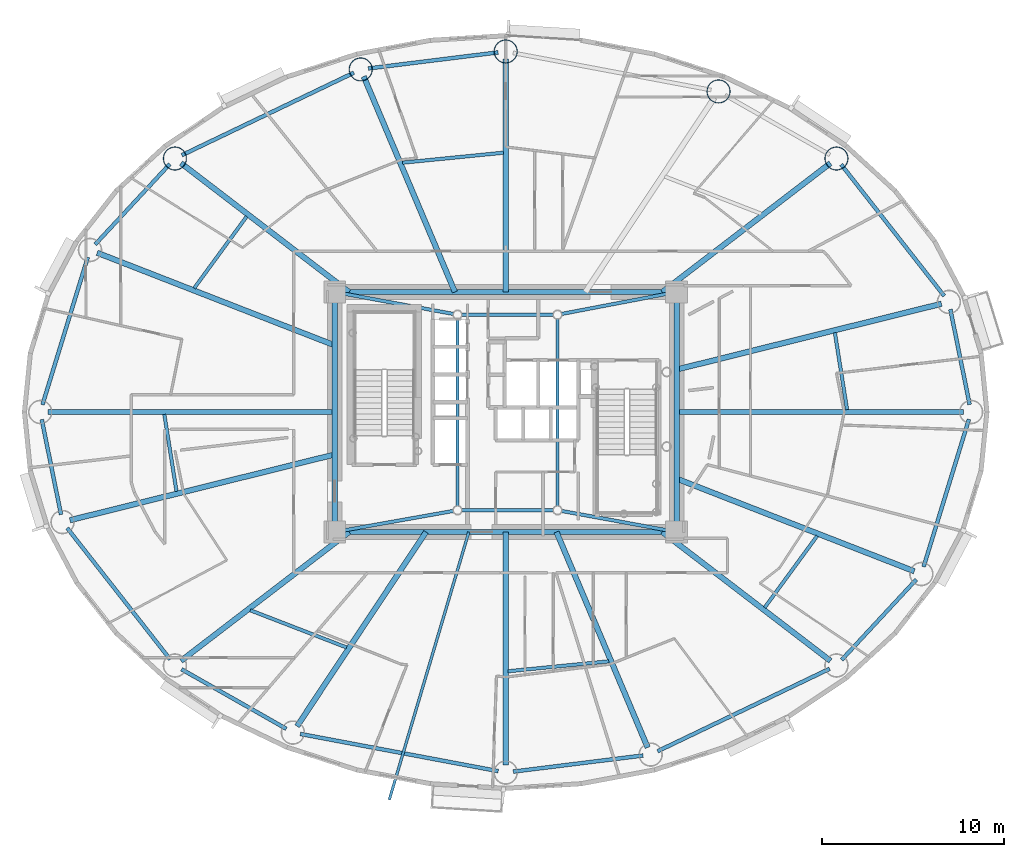
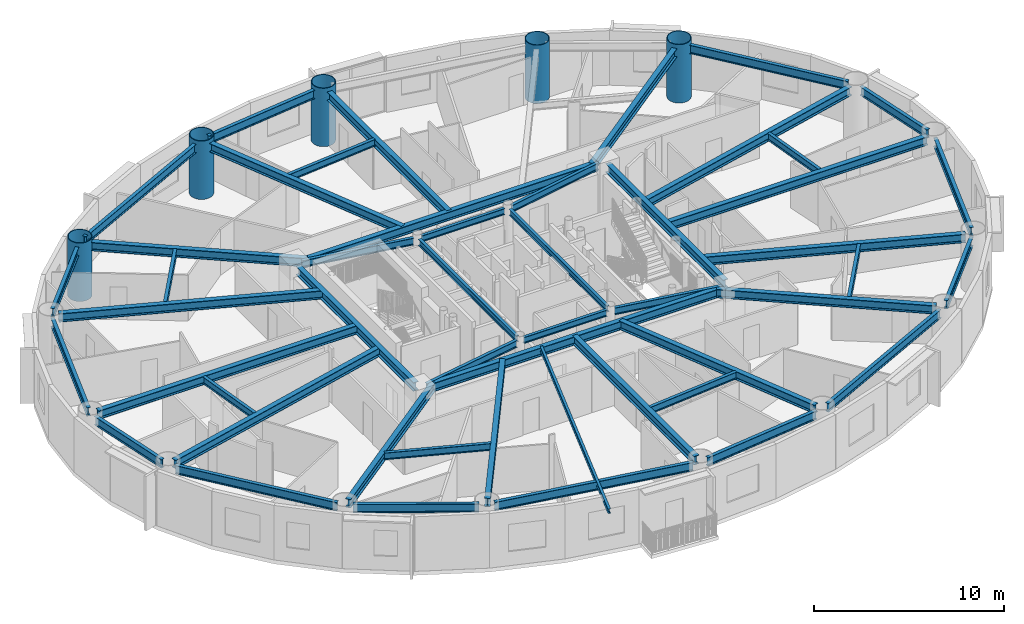
# One storey, part 3 of 18: 49 beams, 5 columns.
"""IFC4 building model written with IfcOpenShell, lengths in metres."""

from ifc_helpers import new_model, si_unit, direction, frame, origin, origin_2d, place, context, subcontext, project, spatial, hollow_circle, i_section, extrude, material, material_profile, profile_set, type_object, element, save


model = new_model("IFC4")

# Units and contexts
model_context = context("Model", 3, precision=1e-05, world=origin(), true_north=direction((0.0, 1.0)))
body_context = subcontext(model_context, "Body", "Model", "MODEL_VIEW")
ifc_project = project(units=[si_unit("LENGTHUNIT", "METRE"), si_unit("AREAUNIT", "SQUARE_METRE"), si_unit("VOLUMEUNIT", "CUBIC_METRE"), si_unit("PLANEANGLEUNIT", "RADIAN"), si_unit("MASSUNIT", "GRAM", prefix="KILO")], contexts=[model_context])

# Site, building, storey
site_placement = place(None, origin())
site = spatial("IfcSite", under=ifc_project, at=site_placement, CompositionType="ELEMENT")
building_placement = place(site_placement, origin())
building = spatial("IfcBuilding", under=site, at=building_placement, Name="Linh Dai School and Residence Tower", CompositionType="ELEMENT")
storey_placement = place(building_placement, frame((0.0, 0.0, 178.64990234375)))
storey = spatial("IfcBuildingStorey", under=building, at=storey_placement, Name="L43", CompositionType="ELEMENT", Elevation=178.64990234375)

# Columns
ifc_material = material(Name="Structural Steel S355JR", Category="steel")
ifc_material_profile_1 = material_profile(ifc_material, hollow_circle(Radius=0.64990234375, WallThickness=0.0400390625, at=origin_2d()), Name="CHS 1300x40")
ifc_profile_set_1 = profile_set([ifc_material_profile_1], Name="Structural Steel S355JR")
column_type = type_object("IfcColumnType", Name="COL-MC4", PredefinedType="COLUMN", material=ifc_profile_set_1)
for number, where, z_axis, x_axis, name in (
    (1, (54.1923828125, 40.941650390625, 0.0), (0.0, 0.0, 1.0), (1.0, 0.0, 0.0), "L43 Perimeter CFT Mega-Column MC03"),
    (2, (47.70556640625, 44.630859375, 0.0), (0.0, 0.0, 1.0), (1.0, 0.0, 0.0), "L43 Perimeter CFT Mega-Column MC04"),
    (3, (36.0, 46.830078125, 0.0), (0.0, 0.0, 1.0), (1.0, 0.0, 0.0), "L43 Perimeter CFT Mega-Column MC05"),
    (4, (28.026611328125, 45.84130859375, 0.0), (0.0, 0.0, 1.0), (1.0, 0.0, 0.0), "L43 Perimeter CFT Mega-Column MC06"),
    (5, (17.8076171875, 40.941650390625, 0.0), (0.0, 0.0, 1.0), (1.0, 0.0, 0.0), "L43 Perimeter CFT Mega-Column MC07"),
):
    element("IfcColumn", number, at=place(storey_placement, frame(where, z_axis=z_axis, x_axis=x_axis)), inside=storey, type_object=column_type, Name=name, PredefinedType="COLUMN", context=body_context, shape_type="SweptSolid", body=[
        extrude(hollow_circle(Radius=0.64990234375, WallThickness=0.0400390625, at=origin_2d()), origin(), (0.0, 0.0, 1.0), 3.75),
    ])

# Beams
ifc_material_profile_2 = material_profile(ifc_material, i_section(OverallWidth=0.14990234375, OverallDepth=0.300048828125, WebThickness=0.007080078125, FlangeThickness=0.0107421875, at=origin_2d()), Name="IPE 300")
ifc_profile_set_2 = profile_set([ifc_material_profile_2], Name="Structural Steel S355JR")
beam_type_1 = type_object("IfcBeamType", Name="BM-BALC-CANT", PredefinedType="BEAM", material=ifc_profile_set_2)
beam_1_placement = place(storey_placement, frame((33.9716796875, 20.39990234375, 3.35009765625), z_axis=(-0.284768682826, -0.958596263962, 0.0), x_axis=(0.958596263962, -0.284768682826, 0.0)))
element("IfcBeam", 6, at=beam_1_placement, inside=storey, type_object=beam_type_1, Name="L44 Balcony Continuous Cantilever Beam 29", PredefinedType="BEAM", context=body_context, shape_type="SweptSolid", body=[
    extrude(i_section(OverallWidth=0.14990234375, OverallDepth=0.300048828125, WebThickness=0.007080078125, FlangeThickness=0.0107421875, at=origin_2d()), origin(), (0.0, 0.0, 1.0), 15.368408203125),
])
ifc_material_profile_3 = material_profile(ifc_material, i_section(OverallWidth=0.2099609375, OverallDepth=0.550048828125, WebThickness=0.010986328125, FlangeThickness=0.01708984375, FilletRadius=0.02392578125, at=origin_2d()), Name="IPE 550")
ifc_profile_set_3 = profile_set([ifc_material_profile_3], Name="Structural Steel S355JR")
beam_type_2 = type_object("IfcBeamType", Name="BM-RB55", PredefinedType="BEAM", material=ifc_profile_set_3)
beam_2_placement = place(storey_placement, frame((61.5166015625, 27.41162109375, 3.22509765625), z_axis=(-0.198420723955, 0.980116940117, 0.0), x_axis=(-0.980116940117, -0.198420723955, 0.0)))
element("IfcBeam", 7, at=beam_2_placement, inside=storey, type_object=beam_type_2, Name="L43 Perimeter Elliptical Ring Beam 01", PredefinedType="BEAM", context=body_context, shape_type="SweptSolid", body=[
    extrude(i_section(OverallWidth=0.2099609375, OverallDepth=0.550048828125, WebThickness=0.010986328125, FlangeThickness=0.01708984375, FilletRadius=0.02392578125, at=origin_2d()), origin(), (0.0, 0.0, 1.0), 5.33642578125),
])
beam_3_placement = place(storey_placement, frame((60.115478515625, 33.38427734375, 3.22509765625), z_axis=(-0.616852281883, 0.787078942887, 0.0), x_axis=(-0.787078942887, -0.616852281883, 0.0)))
element("IfcBeam", 8, at=beam_3_placement, inside=storey, type_object=beam_type_2, Name="L43 Perimeter Elliptical Ring Beam 02", PredefinedType="BEAM", context=body_context, shape_type="SweptSolid", body=[
    extrude(i_section(OverallWidth=0.2099609375, OverallDepth=0.550048828125, WebThickness=0.010986328125, FlangeThickness=0.01708984375, FilletRadius=0.02392578125, at=origin_2d()), origin(), (0.0, 0.0, 1.0), 9.181884765625),
])
beam_4_placement = place(storey_placement, frame((35.583251953125, 46.7783203125, 3.22509765625), z_axis=(-0.992400597975, -0.123048986741, 0.0), x_axis=(0.123048986741, -0.992400597975, 0.0)))
element("IfcBeam", 9, at=beam_4_placement, inside=storey, type_object=beam_type_2, Name="L43 Perimeter Elliptical Ring Beam 05", PredefinedType="BEAM", context=body_context, shape_type="SweptSolid", body=[
    extrude(i_section(OverallWidth=0.2099609375, OverallDepth=0.550048828125, WebThickness=0.010986328125, FlangeThickness=0.01708984375, FilletRadius=0.02392578125, at=origin_2d()), origin(), (0.0, 0.0, 1.0), 7.1943359375),
])
beam_5_placement = place(storey_placement, frame((27.64794921875, 45.659912109375, 3.22509765625), z_axis=(-0.901708141823, -0.432345263614, 0.0), x_axis=(0.432345263614, -0.901708141823, 0.0)))
element("IfcBeam", 10, at=beam_5_placement, inside=storey, type_object=beam_type_2, Name="L43 Perimeter Elliptical Ring Beam 06", PredefinedType="BEAM", context=body_context, shape_type="SweptSolid", body=[
    extrude(i_section(OverallWidth=0.2099609375, OverallDepth=0.550048828125, WebThickness=0.010986328125, FlangeThickness=0.01708984375, FilletRadius=0.02392578125, at=origin_2d()), origin(), (0.0, 0.0, 1.0), 10.4931640625),
])
beam_6_placement = place(storey_placement, frame((17.521728515625, 40.6337890625, 3.22509765625), z_axis=(-0.680378035197, -0.732861330145, 0.0), x_axis=(0.732861330145, -0.680378035197, 0.0)))
element("IfcBeam", 11, at=beam_6_placement, inside=storey, type_object=beam_type_2, Name="L43 Perimeter Elliptical Ring Beam 07", PredefinedType="BEAM", context=body_context, shape_type="SweptSolid", body=[
    extrude(i_section(OverallWidth=0.2099609375, OverallDepth=0.550048828125, WebThickness=0.010986328125, FlangeThickness=0.01708984375, FilletRadius=0.02392578125, at=origin_2d()), origin(), (0.0, 0.0, 1.0), 6.024169921875),
])
beam_7_placement = place(storey_placement, frame((13.01416015625, 35.509765625, 3.22509765625), z_axis=(-0.29363681283, -0.955917058196, 0.0), x_axis=(0.955917058196, -0.29363681283, 0.0)))
element("IfcBeam", 12, at=beam_7_placement, inside=storey, type_object=beam_type_2, Name="L43 Perimeter Elliptical Ring Beam 08", PredefinedType="BEAM", context=body_context, shape_type="SweptSolid", body=[
    extrude(i_section(OverallWidth=0.2099609375, OverallDepth=0.550048828125, WebThickness=0.010986328125, FlangeThickness=0.01708984375, FilletRadius=0.02392578125, at=origin_2d()), origin(), (0.0, 0.0, 1.0), 8.482421875),
])
beam_8_placement = place(storey_placement, frame((10.4833984375, 26.58837890625, 3.22509765625), z_axis=(0.198420723955, -0.980116940117, 0.0), x_axis=(0.980116940117, 0.198420723955, 0.0)))
element("IfcBeam", 13, at=beam_8_placement, inside=storey, type_object=beam_type_2, Name="L43 Perimeter Elliptical Ring Beam 09", PredefinedType="BEAM", context=body_context, shape_type="SweptSolid", body=[
    extrude(i_section(OverallWidth=0.2099609375, OverallDepth=0.550048828125, WebThickness=0.010986328125, FlangeThickness=0.01708984375, FilletRadius=0.02392578125, at=origin_2d()), origin(), (0.0, 0.0, 1.0), 5.33642578125),
])
beam_9_placement = place(storey_placement, frame((11.884521484375, 20.61572265625, 3.22509765625), z_axis=(0.616852281883, -0.787078942887, 0.0), x_axis=(0.787078942887, 0.616852281883, 0.0)))
element("IfcBeam", 14, at=beam_9_placement, inside=storey, type_object=beam_type_2, Name="L43 Perimeter Elliptical Ring Beam 10", PredefinedType="BEAM", context=body_context, shape_type="SweptSolid", body=[
    extrude(i_section(OverallWidth=0.2099609375, OverallDepth=0.550048828125, WebThickness=0.010986328125, FlangeThickness=0.01708984375, FilletRadius=0.02392578125, at=origin_2d()), origin(), (0.0, 0.0, 1.0), 9.181884765625),
])
beam_10_placement = place(storey_placement, frame((18.172607421875, 12.8505859375, 3.22509765625), z_axis=(0.869262164011, -0.49435138335, 0.0), x_axis=(0.49435138335, 0.869262164011, 0.0)))
element("IfcBeam", 15, at=beam_10_placement, inside=storey, type_object=beam_type_2, Name="L43 Perimeter Elliptical Ring Beam 11", PredefinedType="BEAM", context=body_context, shape_type="SweptSolid", body=[
    extrude(i_section(OverallWidth=0.2099609375, OverallDepth=0.550048828125, WebThickness=0.010986328125, FlangeThickness=0.01708984375, FilletRadius=0.02392578125, at=origin_2d()), origin(), (0.0, 0.0, 1.0), 6.62255859375),
])
beam_11_placement = place(storey_placement, frame((24.707275390625, 9.29150390625, 3.22509765625), z_axis=(0.98280721278, -0.184634727255, 0.0), x_axis=(0.184634727255, 0.98280721278, 0.0)))
element("IfcBeam", 16, at=beam_11_placement, inside=storey, type_object=beam_type_2, Name="L43 Perimeter Elliptical Ring Beam 12", PredefinedType="BEAM", context=body_context, shape_type="SweptSolid", body=[
    extrude(i_section(OverallWidth=0.2099609375, OverallDepth=0.550048828125, WebThickness=0.010986328125, FlangeThickness=0.01708984375, FilletRadius=0.02392578125, at=origin_2d()), origin(), (0.0, 0.0, 1.0), 11.0703125),
])
beam_12_placement = place(storey_placement, frame((36.416748046875, 7.2216796875, 3.22509765625), z_axis=(0.992400597975, 0.123048986741, 0.0), x_axis=(-0.123048986741, 0.992400597975, 0.0)))
element("IfcBeam", 17, at=beam_12_placement, inside=storey, type_object=beam_type_2, Name="L43 Perimeter Elliptical Ring Beam 13", PredefinedType="BEAM", context=body_context, shape_type="SweptSolid", body=[
    extrude(i_section(OverallWidth=0.2099609375, OverallDepth=0.550048828125, WebThickness=0.010986328125, FlangeThickness=0.01708984375, FilletRadius=0.02392578125, at=origin_2d()), origin(), (0.0, 0.0, 1.0), 7.1943359375),
])
beam_13_placement = place(storey_placement, frame((44.35205078125, 8.340087890625, 3.22509765625), z_axis=(0.901708141823, 0.432345263614, 0.0), x_axis=(-0.432345263614, 0.901708141823, 0.0)))
element("IfcBeam", 18, at=beam_13_placement, inside=storey, type_object=beam_type_2, Name="L43 Perimeter Elliptical Ring Beam 14", PredefinedType="BEAM", context=body_context, shape_type="SweptSolid", body=[
    extrude(i_section(OverallWidth=0.2099609375, OverallDepth=0.550048828125, WebThickness=0.010986328125, FlangeThickness=0.01708984375, FilletRadius=0.02392578125, at=origin_2d()), origin(), (0.0, 0.0, 1.0), 10.4931640625),
])
beam_14_placement = place(storey_placement, frame((54.478271484375, 13.3662109375, 3.22509765625), z_axis=(0.680378035197, 0.732861330145, 0.0), x_axis=(-0.732861330145, 0.680378035197, 0.0)))
element("IfcBeam", 19, at=beam_14_placement, inside=storey, type_object=beam_type_2, Name="L43 Perimeter Elliptical Ring Beam 15", PredefinedType="BEAM", context=body_context, shape_type="SweptSolid", body=[
    extrude(i_section(OverallWidth=0.2099609375, OverallDepth=0.550048828125, WebThickness=0.010986328125, FlangeThickness=0.01708984375, FilletRadius=0.02392578125, at=origin_2d()), origin(), (0.0, 0.0, 1.0), 6.024169921875),
])
beam_15_placement = place(storey_placement, frame((58.98583984375, 18.490234375, 3.22509765625), z_axis=(0.29363681283, 0.955917058196, 0.0), x_axis=(-0.955917058196, 0.29363681283, 0.0)))
element("IfcBeam", 20, at=beam_15_placement, inside=storey, type_object=beam_type_2, Name="L43 Perimeter Elliptical Ring Beam 16", PredefinedType="BEAM", context=body_context, shape_type="SweptSolid", body=[
    extrude(i_section(OverallWidth=0.2099609375, OverallDepth=0.550048828125, WebThickness=0.010986328125, FlangeThickness=0.01708984375, FilletRadius=0.02392578125, at=origin_2d()), origin(), (0.0, 0.0, 1.0), 8.482421875),
])
ifc_material_profile_4 = material_profile(ifc_material, i_section(OverallWidth=0.300048828125, OverallDepth=0.550048828125, WebThickness=0.014892578125, FlangeThickness=0.029052734375, FilletRadius=0.027099609375, at=origin_2d()), Name="HEB 550")
ifc_profile_set_4 = profile_set([ifc_material_profile_4], Name="Structural Steel S355JR")
beam_type_3 = type_object("IfcBeamType", Name="BM-RG55", PredefinedType="BEAM", material=ifc_profile_set_4)
beam_16_placement = place(storey_placement, frame((27.02001953125, 20.39990234375, 3.22509765625), z_axis=(1.0, 0.0, 0.0), x_axis=(0.0, 1.0, 0.0)))
element("IfcBeam", 21, at=beam_16_placement, inside=storey, type_object=beam_type_3, Name="L43 Core Perimeter Coupling Girder 1", PredefinedType="BEAM", context=body_context, shape_type="SweptSolid", body=[
    extrude(i_section(OverallWidth=0.300048828125, OverallDepth=0.550048828125, WebThickness=0.014892578125, FlangeThickness=0.029052734375, FilletRadius=0.027099609375, at=origin_2d()), origin(), (0.0, 0.0, 1.0), 17.9599609375),
])
beam_17_placement = place(storey_placement, frame((45.39990234375, 20.820068359375, 3.22509765625), z_axis=(0.0, 1.0, 0.0), x_axis=(-1.0, 0.0, 0.0)))
element("IfcBeam", 22, at=beam_17_placement, inside=storey, type_object=beam_type_3, Name="L43 Core Perimeter Coupling Girder 2", PredefinedType="BEAM", context=body_context, shape_type="SweptSolid", body=[
    extrude(i_section(OverallWidth=0.300048828125, OverallDepth=0.550048828125, WebThickness=0.014892578125, FlangeThickness=0.029052734375, FilletRadius=0.027099609375, at=origin_2d()), origin(), (0.0, 0.0, 1.0), 12.35986328125),
])
beam_18_placement = place(storey_placement, frame((44.97998046875, 33.60009765625, 3.22509765625), z_axis=(-1.0, 0.0, 0.0), x_axis=(0.0, -1.0, 0.0)))
element("IfcBeam", 23, at=beam_18_placement, inside=storey, type_object=beam_type_3, Name="L43 Core Perimeter Coupling Girder 3", PredefinedType="BEAM", context=body_context, shape_type="SweptSolid", body=[
    extrude(i_section(OverallWidth=0.300048828125, OverallDepth=0.550048828125, WebThickness=0.014892578125, FlangeThickness=0.029052734375, FilletRadius=0.027099609375, at=origin_2d()), origin(), (0.0, 0.0, 1.0), 17.9599609375),
])
beam_19_placement = place(storey_placement, frame((26.60009765625, 33.179931640625, 3.22509765625), z_axis=(0.0, -1.0, 0.0), x_axis=(1.0, 0.0, 0.0)))
element("IfcBeam", 24, at=beam_19_placement, inside=storey, type_object=beam_type_3, Name="L43 Core Perimeter Coupling Girder 4", PredefinedType="BEAM", context=body_context, shape_type="SweptSolid", body=[
    extrude(i_section(OverallWidth=0.300048828125, OverallDepth=0.550048828125, WebThickness=0.014892578125, FlangeThickness=0.029052734375, FilletRadius=0.027099609375, at=origin_2d()), origin(), (0.0, 0.0, 1.0), 12.35986328125),
])
beam_20_placement = place(storey_placement, frame((45.39990234375, 27.0, 3.22509765625), z_axis=(1.0, 0.0, 0.0), x_axis=(0.0, 1.0, 0.0)))
element("IfcBeam", 25, at=beam_20_placement, inside=storey, type_object=beam_type_3, Name="L43 Primary Radial Floor Girder 01", PredefinedType="BEAM", context=body_context, shape_type="SweptSolid", body=[
    extrude(i_section(OverallWidth=0.300048828125, OverallDepth=0.550048828125, WebThickness=0.014892578125, FlangeThickness=0.029052734375, FilletRadius=0.027099609375, at=origin_2d()), origin(), (0.0, 0.0, 1.0), 15.780029296875),
])
beam_21_placement = place(storey_placement, frame((45.39990234375, 29.33447265625, 3.22509765625), z_axis=(0.970514508209, 0.24104271272, 0.0), x_axis=(-0.24104271272, 0.970514508209, 0.0)))
element("IfcBeam", 26, at=beam_21_placement, inside=storey, type_object=beam_type_3, Name="L43 Primary Radial Floor Girder 02", PredefinedType="BEAM", context=body_context, shape_type="SweptSolid", body=[
    extrude(i_section(OverallWidth=0.300048828125, OverallDepth=0.550048828125, WebThickness=0.014892578125, FlangeThickness=0.029052734375, FilletRadius=0.027099609375, at=origin_2d()), origin(), (0.0, 0.0, 1.0), 15.009521484375),
])
beam_22_placement = place(storey_placement, frame((44.6123046875, 33.60009765625, 3.22509765625), z_axis=(0.793732831925, 0.608266546445, 0.0), x_axis=(-0.608266546445, 0.793732831925, 0.0)))
element("IfcBeam", 27, at=beam_22_placement, inside=storey, type_object=beam_type_3, Name="L43 Primary Radial Floor Girder 03", PredefinedType="BEAM", context=body_context, shape_type="SweptSolid", body=[
    extrude(i_section(OverallWidth=0.300048828125, OverallDepth=0.550048828125, WebThickness=0.014892578125, FlangeThickness=0.029052734375, FilletRadius=0.027099609375, at=origin_2d()), origin(), (0.0, 0.0, 1.0), 11.64990234375),
])
beam_23_placement = place(storey_placement, frame((36.0, 33.60009765625, 3.22509765625), z_axis=(0.0, 1.0, 0.0), x_axis=(-1.0, 0.0, 0.0)))
element("IfcBeam", 28, at=beam_23_placement, inside=storey, type_object=beam_type_3, Name="L43 Primary Radial Floor Girder 05", PredefinedType="BEAM", context=body_context, shape_type="SweptSolid", body=[
    extrude(i_section(OverallWidth=0.300048828125, OverallDepth=0.550048828125, WebThickness=0.014892578125, FlangeThickness=0.029052734375, FilletRadius=0.027099609375, at=origin_2d()), origin(), (0.0, 0.0, 1.0), 12.809814453125),
])
beam_24_placement = place(storey_placement, frame((33.20703125, 33.60009765625, 3.22509765625), z_axis=(-0.389721661447, 0.920932693849, 0.0), x_axis=(-0.920932693849, -0.389721661447, 0.0)))
element("IfcBeam", 29, at=beam_24_placement, inside=storey, type_object=beam_type_3, Name="L43 Primary Radial Floor Girder 06", PredefinedType="BEAM", context=body_context, shape_type="SweptSolid", body=[
    extrude(i_section(OverallWidth=0.300048828125, OverallDepth=0.550048828125, WebThickness=0.014892578125, FlangeThickness=0.029052734375, FilletRadius=0.027099609375, at=origin_2d()), origin(), (0.0, 0.0, 1.0), 12.872314453125),
])
beam_25_placement = place(storey_placement, frame((27.3876953125, 33.60009765625, 3.22509765625), z_axis=(-0.793732831925, 0.608266546445, 0.0), x_axis=(-0.608266546445, -0.793732831925, 0.0)))
element("IfcBeam", 30, at=beam_25_placement, inside=storey, type_object=beam_type_3, Name="L43 Primary Radial Floor Girder 07", PredefinedType="BEAM", context=body_context, shape_type="SweptSolid", body=[
    extrude(i_section(OverallWidth=0.300048828125, OverallDepth=0.550048828125, WebThickness=0.014892578125, FlangeThickness=0.029052734375, FilletRadius=0.027099609375, at=origin_2d()), origin(), (0.0, 0.0, 1.0), 11.64990234375),
])
beam_26_placement = place(storey_placement, frame((26.60009765625, 30.663818359375, 3.22509765625), z_axis=(-0.931722873254, 0.363170053081, 0.0), x_axis=(-0.363170053081, -0.931722873254, 0.0)))
element("IfcBeam", 31, at=beam_26_placement, inside=storey, type_object=beam_type_3, Name="L43 Primary Radial Floor Girder 08", PredefinedType="BEAM", context=body_context, shape_type="SweptSolid", body=[
    extrude(i_section(OverallWidth=0.300048828125, OverallDepth=0.550048828125, WebThickness=0.014892578125, FlangeThickness=0.029052734375, FilletRadius=0.027099609375, at=origin_2d()), origin(), (0.0, 0.0, 1.0), 14.029052734375),
])
beam_27_placement = place(storey_placement, frame((26.60009765625, 27.0, 3.22509765625), z_axis=(-1.0, 0.0, 0.0), x_axis=(0.0, -1.0, 0.0)))
element("IfcBeam", 32, at=beam_27_placement, inside=storey, type_object=beam_type_3, Name="L43 Primary Radial Floor Girder 09", PredefinedType="BEAM", context=body_context, shape_type="SweptSolid", body=[
    extrude(i_section(OverallWidth=0.300048828125, OverallDepth=0.550048828125, WebThickness=0.014892578125, FlangeThickness=0.029052734375, FilletRadius=0.027099609375, at=origin_2d()), origin(), (0.0, 0.0, 1.0), 15.780029296875),
])
beam_28_placement = place(storey_placement, frame((26.60009765625, 24.66552734375, 3.22509765625), z_axis=(-0.970514508209, -0.24104271272, 0.0), x_axis=(0.24104271272, -0.970514508209, 0.0)))
element("IfcBeam", 33, at=beam_28_placement, inside=storey, type_object=beam_type_3, Name="L43 Primary Radial Floor Girder 10", PredefinedType="BEAM", context=body_context, shape_type="SweptSolid", body=[
    extrude(i_section(OverallWidth=0.300048828125, OverallDepth=0.550048828125, WebThickness=0.014892578125, FlangeThickness=0.029052734375, FilletRadius=0.027099609375, at=origin_2d()), origin(), (0.0, 0.0, 1.0), 15.009521484375),
])
beam_29_placement = place(storey_placement, frame((27.3876953125, 20.39990234375, 3.22509765625), z_axis=(-0.793732831925, -0.608266546445, 0.0), x_axis=(0.608266546445, -0.793732831925, 0.0)))
element("IfcBeam", 34, at=beam_29_placement, inside=storey, type_object=beam_type_3, Name="L43 Primary Radial Floor Girder 11", PredefinedType="BEAM", context=body_context, shape_type="SweptSolid", body=[
    extrude(i_section(OverallWidth=0.300048828125, OverallDepth=0.550048828125, WebThickness=0.014892578125, FlangeThickness=0.029052734375, FilletRadius=0.027099609375, at=origin_2d()), origin(), (0.0, 0.0, 1.0), 11.64990234375),
])
beam_30_placement = place(storey_placement, frame((31.6181640625, 20.39990234375, 3.22509765625), z_axis=(-0.553117176317, -0.833103468522, 0.0), x_axis=(0.833103468522, -0.553117176317, 0.0)))
element("IfcBeam", 35, at=beam_30_placement, inside=storey, type_object=beam_type_3, Name="L43 Primary Radial Floor Girder 12", PredefinedType="BEAM", context=body_context, shape_type="SweptSolid", body=[
    extrude(i_section(OverallWidth=0.300048828125, OverallDepth=0.550048828125, WebThickness=0.014892578125, FlangeThickness=0.029052734375, FilletRadius=0.027099609375, at=origin_2d()), origin(), (0.0, 0.0, 1.0), 12.820556640625),
])
beam_31_placement = place(storey_placement, frame((36.0, 20.39990234375, 3.22509765625), z_axis=(0.0, -1.0, 0.0), x_axis=(1.0, 0.0, 0.0)))
element("IfcBeam", 36, at=beam_31_placement, inside=storey, type_object=beam_type_3, Name="L43 Primary Radial Floor Girder 13", PredefinedType="BEAM", context=body_context, shape_type="SweptSolid", body=[
    extrude(i_section(OverallWidth=0.300048828125, OverallDepth=0.550048828125, WebThickness=0.014892578125, FlangeThickness=0.029052734375, FilletRadius=0.027099609375, at=origin_2d()), origin(), (0.0, 0.0, 1.0), 12.809814453125),
])
beam_32_placement = place(storey_placement, frame((38.79296875, 20.39990234375, 3.22509765625), z_axis=(0.389721661447, -0.920932693849, 0.0), x_axis=(0.920932693849, 0.389721661447, 0.0)))
element("IfcBeam", 37, at=beam_32_placement, inside=storey, type_object=beam_type_3, Name="L43 Primary Radial Floor Girder 14", PredefinedType="BEAM", context=body_context, shape_type="SweptSolid", body=[
    extrude(i_section(OverallWidth=0.300048828125, OverallDepth=0.550048828125, WebThickness=0.014892578125, FlangeThickness=0.029052734375, FilletRadius=0.027099609375, at=origin_2d()), origin(), (0.0, 0.0, 1.0), 12.872314453125),
])
beam_33_placement = place(storey_placement, frame((44.6123046875, 20.39990234375, 3.22509765625), z_axis=(0.793732831925, -0.608266546445, 0.0), x_axis=(0.608266546445, 0.793732831925, 0.0)))
element("IfcBeam", 38, at=beam_33_placement, inside=storey, type_object=beam_type_3, Name="L43 Primary Radial Floor Girder 15", PredefinedType="BEAM", context=body_context, shape_type="SweptSolid", body=[
    extrude(i_section(OverallWidth=0.300048828125, OverallDepth=0.550048828125, WebThickness=0.014892578125, FlangeThickness=0.029052734375, FilletRadius=0.027099609375, at=origin_2d()), origin(), (0.0, 0.0, 1.0), 11.64990234375),
])
beam_34_placement = place(storey_placement, frame((45.39990234375, 23.336181640625, 3.22509765625), z_axis=(0.931722873254, -0.363170053081, 0.0), x_axis=(0.363170053081, 0.931722873254, 0.0)))
element("IfcBeam", 39, at=beam_34_placement, inside=storey, type_object=beam_type_3, Name="L43 Primary Radial Floor Girder 16", PredefinedType="BEAM", context=body_context, shape_type="SweptSolid", body=[
    extrude(i_section(OverallWidth=0.300048828125, OverallDepth=0.550048828125, WebThickness=0.014892578125, FlangeThickness=0.029052734375, FilletRadius=0.027099609375, at=origin_2d()), origin(), (0.0, 0.0, 1.0), 14.029052734375),
])
ifc_material_profile_5 = material_profile(ifc_material, i_section(OverallWidth=0.179931640625, OverallDepth=0.39990234375, WebThickness=0.008544921875, FlangeThickness=0.013427734375, FilletRadius=0.02099609375, at=origin_2d()), Name="IPE 400")
ifc_profile_set_5 = profile_set([ifc_material_profile_5], Name="Structural Steel S355JR")
beam_type_4 = type_object("IfcBeamType", Name="BM-SB40", PredefinedType="BEAM", material=ifc_profile_set_5)
beam_35_placement = place(storey_placement, frame((33.573974609375, 21.60009765625, 3.300048828125), z_axis=(1.0, 0.0, 0.0), x_axis=(0.0, 1.0, 0.0)))
element("IfcBeam", 40, at=beam_35_placement, inside=storey, type_object=beam_type_4, Name="L43 Core Mast Pier Tie Beam 1", PredefinedType="BEAM", context=body_context, shape_type="SweptSolid", body=[
    extrude(i_section(OverallWidth=0.179931640625, OverallDepth=0.39990234375, WebThickness=0.008544921875, FlangeThickness=0.013427734375, FilletRadius=0.02099609375, at=origin_2d()), origin(), (0.0, 0.0, 1.0), 5.052001953125),
])
beam_36_placement = place(storey_placement, frame((38.85009765625, 21.823974609375, 3.300048828125), z_axis=(0.0, 1.0, 0.0), x_axis=(-1.0, 0.0, 0.0)))
element("IfcBeam", 41, at=beam_36_placement, inside=storey, type_object=beam_type_4, Name="L43 Core Mast Pier Tie Beam 2", PredefinedType="BEAM", context=body_context, shape_type="SweptSolid", body=[
    extrude(i_section(OverallWidth=0.179931640625, OverallDepth=0.39990234375, WebThickness=0.008544921875, FlangeThickness=0.013427734375, FilletRadius=0.02099609375, at=origin_2d()), origin(), (0.0, 0.0, 1.0), 10.302001953125),
])
beam_37_placement = place(storey_placement, frame((38.6259765625, 32.35009765625, 3.300048828125), z_axis=(-1.0, 0.0, 0.0), x_axis=(0.0, -1.0, 0.0)))
element("IfcBeam", 42, at=beam_37_placement, inside=storey, type_object=beam_type_4, Name="L43 Core Mast Pier Tie Beam 3", PredefinedType="BEAM", context=body_context, shape_type="SweptSolid", body=[
    extrude(i_section(OverallWidth=0.179931640625, OverallDepth=0.39990234375, WebThickness=0.008544921875, FlangeThickness=0.013427734375, FilletRadius=0.02099609375, at=origin_2d()), origin(), (0.0, 0.0, 1.0), 5.052001953125),
])
beam_38_placement = place(storey_placement, frame((33.35009765625, 32.1259765625, 3.300048828125), z_axis=(0.0, -1.0, 0.0), x_axis=(1.0, 0.0, 0.0)))
element("IfcBeam", 43, at=beam_38_placement, inside=storey, type_object=beam_type_4, Name="L43 Core Mast Pier Tie Beam 4", PredefinedType="BEAM", context=body_context, shape_type="SweptSolid", body=[
    extrude(i_section(OverallWidth=0.179931640625, OverallDepth=0.39990234375, WebThickness=0.008544921875, FlangeThickness=0.013427734375, FilletRadius=0.02099609375, at=origin_2d()), origin(), (0.0, 0.0, 1.0), 10.302001953125),
])
ifc_material_profile_6 = material_profile(ifc_material, i_section(OverallWidth=0.18994140625, OverallDepth=0.449951171875, WebThickness=0.009521484375, FlangeThickness=0.0146484375, FilletRadius=0.02099609375, at=origin_2d()), Name="IPE 450")
ifc_profile_set_6 = profile_set([ifc_material_profile_6], Name="Structural Steel S355JR")
beam_type_5 = type_object("IfcBeamType", Name="BM-SB45", PredefinedType="BEAM", material=ifc_profile_set_6)
beam_39_placement = place(storey_placement, frame((27.013427734375, 20.4736328125, 3.275146484375), z_axis=(0.984565969371, 0.175013862185, 0.0), x_axis=(-0.175013862185, 0.984565969371, 0.0)))
element("IfcBeam", 44, at=beam_39_placement, inside=storey, type_object=beam_type_5, Name="L43 Core Corner-to-Mast Pier Beam 1", PredefinedType="BEAM", context=body_context, shape_type="SweptSolid", body=[
    extrude(i_section(OverallWidth=0.18994140625, OverallDepth=0.449951171875, WebThickness=0.009521484375, FlangeThickness=0.0146484375, FilletRadius=0.02099609375, at=origin_2d()), origin(), (0.0, 0.0, 1.0), 6.2119140625),
])
beam_40_placement = place(storey_placement, frame((44.98681640625, 20.4755859375, 3.275146484375), z_axis=(-0.983627428732, 0.180213987933, 0.0), x_axis=(-0.180213987933, -0.983627428732, 0.0)))
element("IfcBeam", 45, at=beam_40_placement, inside=storey, type_object=beam_type_5, Name="L43 Core Corner-to-Mast Pier Beam 2", PredefinedType="BEAM", context=body_context, shape_type="SweptSolid", body=[
    extrude(i_section(OverallWidth=0.18994140625, OverallDepth=0.449951171875, WebThickness=0.009521484375, FlangeThickness=0.0146484375, FilletRadius=0.02099609375, at=origin_2d()), origin(), (0.0, 0.0, 1.0), 6.014892578125),
])
beam_41_placement = place(storey_placement, frame((44.987548828125, 33.521240234375, 3.275146484375), z_axis=(-0.982277147686, -0.187434268836, 0.0), x_axis=(0.187434268836, -0.982277147686, 0.0)))
element("IfcBeam", 46, at=beam_41_placement, inside=storey, type_object=beam_type_5, Name="L43 Core Corner-to-Mast Pier Beam 3", PredefinedType="BEAM", context=body_context, shape_type="SweptSolid", body=[
    extrude(i_section(OverallWidth=0.18994140625, OverallDepth=0.449951171875, WebThickness=0.009521484375, FlangeThickness=0.0146484375, FilletRadius=0.02099609375, at=origin_2d()), origin(), (0.0, 0.0, 1.0), 6.024169921875),
])
beam_42_placement = place(storey_placement, frame((27.012939453125, 33.5234375, 3.275146484375), z_axis=(0.983286429055, -0.182065368579, 0.0), x_axis=(0.182065368579, 0.983286429055, 0.0)))
element("IfcBeam", 47, at=beam_42_placement, inside=storey, type_object=beam_type_5, Name="L43 Core Corner-to-Mast Pier Beam 4", PredefinedType="BEAM", context=body_context, shape_type="SweptSolid", body=[
    extrude(i_section(OverallWidth=0.18994140625, OverallDepth=0.449951171875, WebThickness=0.009521484375, FlangeThickness=0.0146484375, FilletRadius=0.02099609375, at=origin_2d()), origin(), (0.0, 0.0, 1.0), 6.220703125),
])
beam_43_placement = place(storey_placement, frame((54.775634765625, 27.12841796875, 3.275146484375), z_axis=(-0.156304675371, 0.987708888518, 0.0), x_axis=(-0.987708888518, -0.156304675371, 0.0)))
element("IfcBeam", 48, at=beam_43_placement, inside=storey, type_object=beam_type_5, Name="L43 Secondary Circumferential Floor Beam 01", PredefinedType="BEAM", context=body_context, shape_type="SweptSolid", body=[
    extrude(i_section(OverallWidth=0.18994140625, OverallDepth=0.449951171875, WebThickness=0.009521484375, FlangeThickness=0.0146484375, FilletRadius=0.02099609375, at=origin_2d()), origin(), (0.0, 0.0, 1.0), 4.28759765625),
])
beam_44_placement = place(storey_placement, frame((35.87060546875, 41.260498046875, 3.275146484375), z_axis=(-0.995148179174, -0.098387506761, 0.0), x_axis=(0.098387506761, -0.995148179174, 0.0)))
element("IfcBeam", 49, at=beam_44_placement, inside=storey, type_object=beam_type_5, Name="L43 Secondary Circumferential Floor Beam 03", PredefinedType="BEAM", context=body_context, shape_type="SweptSolid", body=[
    extrude(i_section(OverallWidth=0.18994140625, OverallDepth=0.449951171875, WebThickness=0.009521484375, FlangeThickness=0.0146484375, FilletRadius=0.02099609375, at=origin_2d()), origin(), (0.0, 0.0, 1.0), 5.56591796875),
])
beam_45_placement = place(storey_placement, frame((21.75439453125, 37.75341796875, 3.275146484375), z_axis=(-0.590804505267, -0.806814747359, 0.0), x_axis=(0.806814747359, -0.590804505267, 0.0)))
element("IfcBeam", 50, at=beam_45_placement, inside=storey, type_object=beam_type_5, Name="L43 Secondary Circumferential Floor Beam 04", PredefinedType="BEAM", context=body_context, shape_type="SweptSolid", body=[
    extrude(i_section(OverallWidth=0.18994140625, OverallDepth=0.449951171875, WebThickness=0.009521484375, FlangeThickness=0.0146484375, FilletRadius=0.02099609375, at=origin_2d()), origin(), (0.0, 0.0, 1.0), 4.884765625),
])
beam_46_placement = place(storey_placement, frame((17.224365234375, 26.87158203125, 3.275146484375), z_axis=(0.156304675371, -0.987708888518, 0.0), x_axis=(0.987708888518, 0.156304675371, 0.0)))
element("IfcBeam", 51, at=beam_46_placement, inside=storey, type_object=beam_type_5, Name="L43 Secondary Circumferential Floor Beam 05", PredefinedType="BEAM", context=body_context, shape_type="SweptSolid", body=[
    extrude(i_section(OverallWidth=0.18994140625, OverallDepth=0.449951171875, WebThickness=0.009521484375, FlangeThickness=0.0146484375, FilletRadius=0.02099609375, at=origin_2d()), origin(), (0.0, 0.0, 1.0), 4.28759765625),
])
beam_47_placement = place(storey_placement, frame((21.952392578125, 16.094970703125, 3.275146484375), z_axis=(0.932814887644, -0.360355914881, 0.0), x_axis=(0.360355914881, 0.932814887644, 0.0)))
element("IfcBeam", 52, at=beam_47_placement, inside=storey, type_object=beam_type_5, Name="L43 Secondary Circumferential Floor Beam 06", PredefinedType="BEAM", context=body_context, shape_type="SweptSolid", body=[
    extrude(i_section(OverallWidth=0.18994140625, OverallDepth=0.449951171875, WebThickness=0.009521484375, FlangeThickness=0.0146484375, FilletRadius=0.02099609375, at=origin_2d()), origin(), (0.0, 0.0, 1.0), 5.67822265625),
])
beam_48_placement = place(storey_placement, frame((36.12939453125, 12.739501953125, 3.275146484375), z_axis=(0.995148179174, 0.098387506761, 0.0), x_axis=(-0.098387506761, 0.995148179174, 0.0)))
element("IfcBeam", 53, at=beam_48_placement, inside=storey, type_object=beam_type_5, Name="L43 Secondary Circumferential Floor Beam 07", PredefinedType="BEAM", context=body_context, shape_type="SweptSolid", body=[
    extrude(i_section(OverallWidth=0.18994140625, OverallDepth=0.449951171875, WebThickness=0.009521484375, FlangeThickness=0.0146484375, FilletRadius=0.02099609375, at=origin_2d()), origin(), (0.0, 0.0, 1.0), 5.56591796875),
])
beam_49_placement = place(storey_placement, frame((50.24560546875, 16.24658203125, 3.275146484375), z_axis=(0.590804505267, 0.806814747359, 0.0), x_axis=(-0.806814747359, 0.590804505267, 0.0)))
element("IfcBeam", 54, at=beam_49_placement, inside=storey, type_object=beam_type_5, Name="L43 Secondary Circumferential Floor Beam 08", PredefinedType="BEAM", context=body_context, shape_type="SweptSolid", body=[
    extrude(i_section(OverallWidth=0.18994140625, OverallDepth=0.449951171875, WebThickness=0.009521484375, FlangeThickness=0.0146484375, FilletRadius=0.02099609375, at=origin_2d()), origin(), (0.0, 0.0, 1.0), 4.884765625),
])

save(model, "model.ifc")
